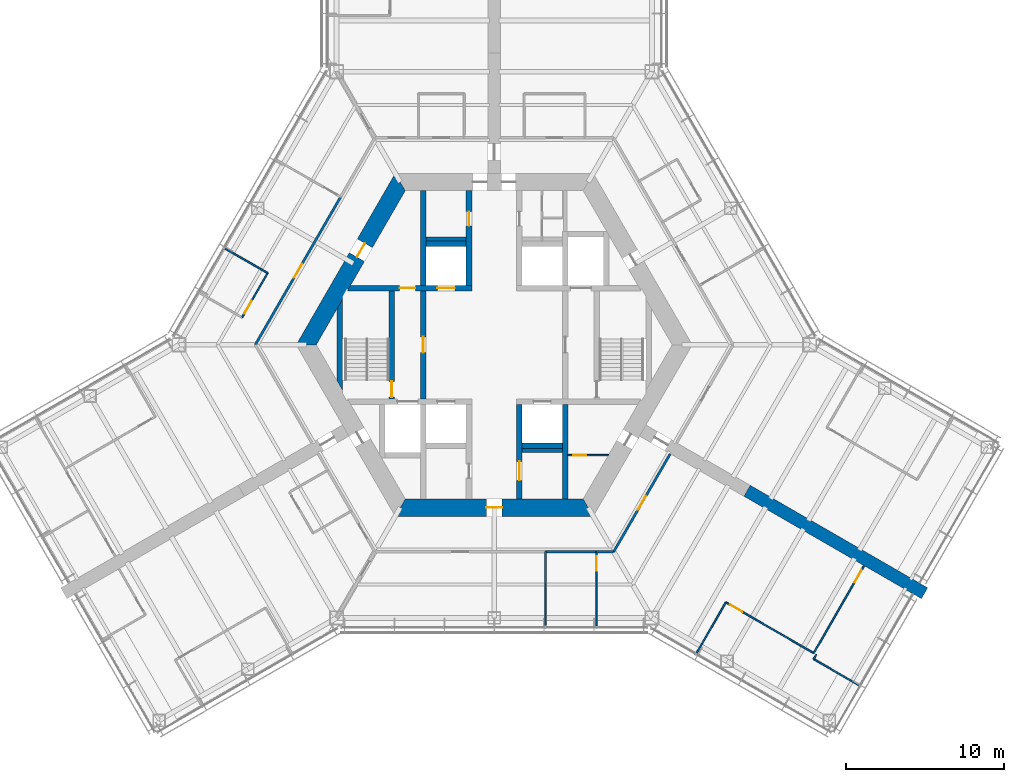
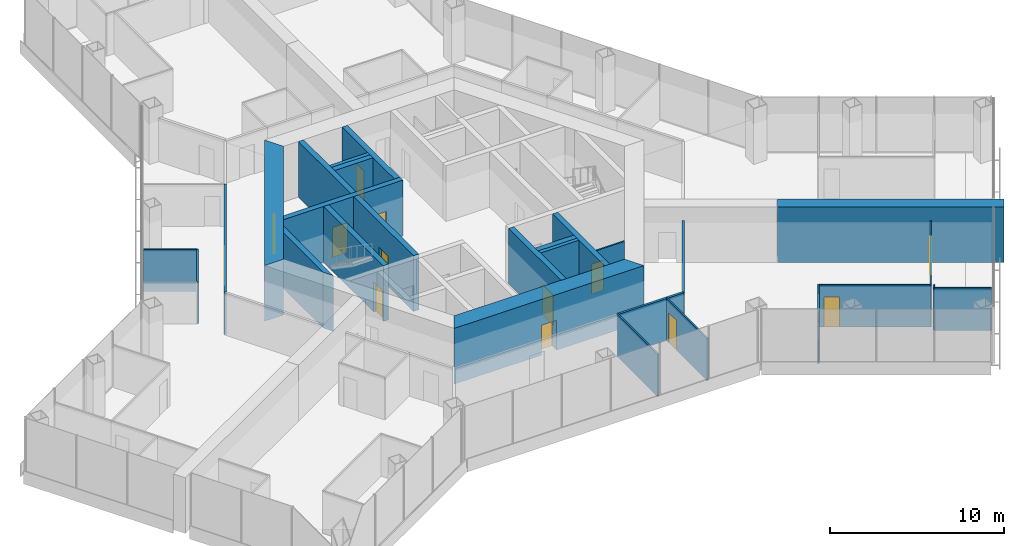
# One storey, part 13 of 18: 29 walls, 15 doors, 15 openings.
"""IFC4 building model written with IfcOpenShell, lengths in metres."""

import ifcopenshell
import ifcopenshell.guid

model = None  # the IFC model being written
_history = None  # IfcOwnerHistory: only IFC2X3 demands one
_inside = {}  # id of a spatial element -> (the spatial element, [elements in it])
_under = {}  # id of a project, library or spatial element -> (it, [spatial elements below it])
_declared = {}  # id of a project -> (the project, [libraries it declares])
_typed = {}  # id of a type object -> (the type object, [elements of that type])
_made_of = {}  # id of a material, layer set ... -> (it, [elements and type objects made of it])


def new_model(schema):
    """Start an empty IFC model of exactly this schema.

    Asked for "IFC4X3", IfcOpenShell would pick the latest addendum, in which some entities
    have other attributes; the version numbers below select the first issue.
    IFC2X3 requires an IfcOwnerHistory on every rooted entity: one is made here for all.
    """
    global model, _history
    if schema == "IFC4X3":
        model = ifcopenshell.file(schema_version=(4, 3, 0, 0))
    else:
        model = ifcopenshell.file(schema=schema)
    _inside.clear()
    _under.clear()
    _declared.clear()
    _typed.clear()
    _made_of.clear()
    _history = None
    if model.schema == "IFC2X3":
        org = make("IfcOrganization", Name="unknown")
        user = make(
            "IfcPersonAndOrganization",
            ThePerson=make("IfcPerson", FamilyName="unknown"),
            TheOrganization=org,
        )
        app = make(
            "IfcApplication",
            ApplicationDeveloper=org,
            Version="unknown",
            ApplicationFullName="unknown",
            ApplicationIdentifier="unknown",
        )
        _history = make(
            "IfcOwnerHistory",
            OwningUser=user,
            OwningApplication=app,
            ChangeAction="ADDED",
            CreationDate=0,
        )
    return model


def make(cls, **values):
    """One entity of the class cls with the attributes given. An attribute that is None is left unset."""
    return model.create_entity(
        cls, **{name: value for name, value in values.items() if value is not None}
    )


def rooted(cls, **values):
    """An entity with a GlobalId (a new one), such as an element, a storey or a relation."""
    return make(cls, GlobalId=ifcopenshell.guid.new(), OwnerHistory=_history, **values)


def si_unit(unit_type, name, prefix=None):
    """IfcSIUnit, for example si_unit("LENGTHUNIT", "METRE", prefix="MILLI")."""
    return make("IfcSIUnit", UnitType=unit_type, Prefix=prefix, Name=name)


def assignment(units):
    """IfcUnitAssignment: the units of a project."""
    return None if units is None else make("IfcUnitAssignment", Units=units)


def point(xyz):
    """IfcCartesianPoint."""
    return None if xyz is None else make("IfcCartesianPoint", Coordinates=xyz)


def direction(xyz):
    """IfcDirection."""
    return None if xyz is None else make("IfcDirection", DirectionRatios=xyz)


def frame(location, z_axis=None, x_axis=None):
    """IfcAxis2Placement3D, a coordinate frame: its origin and axes. An axis left out is left unset."""
    return make(
        "IfcAxis2Placement3D",
        Location=point(location),
        Axis=direction(z_axis),
        RefDirection=direction(x_axis),
    )


def frame_2d(location, x_axis=None):
    """IfcAxis2Placement2D, a coordinate frame in the plane: its origin and x axis."""
    return make(
        "IfcAxis2Placement2D", Location=point(location), RefDirection=direction(x_axis)
    )


def origin():
    """The frame at (0, 0, 0) with its axes left unset."""
    return frame((0.0, 0.0, 0.0))


def place(relative_to, where):
    """IfcLocalPlacement: puts the frame where relative to a parent placement (None: the world)."""
    return make(
        "IfcLocalPlacement", PlacementRelTo=relative_to, RelativePlacement=where
    )


def context(
    kind, dimensions, precision=None, world=None, true_north=None, identifier=None
):
    """IfcGeometricRepresentationContext, for example the 3D "Model" context."""
    return make(
        "IfcGeometricRepresentationContext",
        ContextIdentifier=identifier,
        ContextType=kind,
        CoordinateSpaceDimension=dimensions,
        Precision=precision,
        WorldCoordinateSystem=world,
        TrueNorth=true_north,
    )


def subcontext(parent, identifier, kind, view, scale=None):
    """IfcGeometricRepresentationSubContext, for example "Body" below "Model"."""
    return make(
        "IfcGeometricRepresentationSubContext",
        ContextIdentifier=identifier,
        ContextType=kind,
        ParentContext=parent,
        TargetScale=scale,
        TargetView=view,
    )


def project(units=None, contexts=None):
    """IfcProject with its units and contexts."""
    return rooted(
        "IfcProject",
        Name="project",
        RepresentationContexts=contexts,
        UnitsInContext=assignment(units),
    )


def spatial(cls, under=None, at=None, **own):
    """A site, building, storey or space (cls), placed at a placement, below another one or the project."""
    s = rooted(cls, ObjectPlacement=at, **own)
    if under is not None:
        _under.setdefault(under.id(), (under, []))[1].append(s)
    return s


def polyline(points):
    """IfcPolyline through the points."""
    return make("IfcPolyline", Points=[point(p) for p in points])


def profile(cls, at=None, kind="AREA", **sizes):
    """A parametric profile (cls). Its sizes go by their IFC names, for example OverallWidth=200.0."""
    return make(cls, ProfileType=kind, Position=at, **sizes)


def rectangle(**sizes):
    """IfcRectangleProfileDef."""
    return profile("IfcRectangleProfileDef", **sizes)


def outline(outer, holes=None, kind="AREA"):
    """IfcArbitraryClosedProfileDef: a profile drawn as a closed curve; with holes, ...WithVoids."""
    if holes is None:
        return make("IfcArbitraryClosedProfileDef", ProfileType=kind, OuterCurve=outer)
    return make(
        "IfcArbitraryProfileDefWithVoids",
        ProfileType=kind,
        OuterCurve=outer,
        InnerCurves=holes,
    )


def extrude(swept, where, along, depth):
    """IfcExtrudedAreaSolid: the profile swept, set in the frame where, extruded along a direction by depth."""
    return make(
        "IfcExtrudedAreaSolid",
        SweptArea=swept,
        Position=where,
        ExtrudedDirection=direction(along),
        Depth=depth,
    )


def shape(context_of_items, identifier, shape_type, items):
    """IfcShapeRepresentation: the items that make up one representation, for example the "Body"."""
    return make(
        "IfcShapeRepresentation",
        ContextOfItems=context_of_items,
        RepresentationIdentifier=identifier,
        RepresentationType=shape_type,
        Items=items,
    )


def material(Name=None, Category=None):
    """IfcMaterial."""
    return make("IfcMaterial", Name=Name, Category=Category)


def layer(
    of_material, thickness, ventilated=None, Name=None, Category=None, Priority=None
):
    """IfcMaterialLayer: one layer of a wall or slab, of a material (None: an air gap)."""
    return make(
        "IfcMaterialLayer",
        Material=of_material,
        LayerThickness=thickness,
        IsVentilated=ventilated,
        Name=Name,
        Category=Category,
        Priority=Priority,
    )


def layer_set(layers, Name=None):
    """IfcMaterialLayerSet."""
    return make("IfcMaterialLayerSet", MaterialLayers=layers, LayerSetName=Name)


def made_of(thing, what):
    """Note that an element or type object is made of a material, layer set ...; save() writes the relation."""
    if what is not None:
        _made_of.setdefault(what.id(), (what, []))[1].append(thing)
    return thing


def type_object(cls, material=None, **own):
    """A type object (cls), such as IfcWallType, which elements share."""
    return made_of(rooted(cls, **own), material)


def element(
    cls,
    number,
    at=None,
    inside=None,
    cuts=None,
    type_object=None,
    material=None,
    context=None,
    identifier="Body",
    shape_type=None,
    held_by="IfcProductDefinitionShape",
    body=None,
    shapes=None,
    **own,
):
    """One element of the class cls, such as IfcWall. Its Tag is "e" and its number.

    at: its placement. inside: the storey or other place that contains it. cuts: it is an
    opening in that element (IfcRelVoidsElement). A single representation is given by context,
    identifier, shape_type and body (its items); several are given by shapes. held_by: the class
    of the entity that holds the representations. save() writes the other relations.
    """
    e = rooted(cls, Tag="e%d" % number, ObjectPlacement=at, **own)
    if body is not None:
        shapes = [shape(context, identifier, shape_type, body)]
    if shapes is not None:
        e.Representation = make(held_by, Representations=shapes)
    if inside is not None:
        _inside.setdefault(inside.id(), (inside, []))[1].append(e)
    if cuts is not None:
        rooted(
            "IfcRelVoidsElement", RelatingBuildingElement=cuts, RelatedOpeningElement=e
        )
    if type_object is not None:
        _typed.setdefault(type_object.id(), (type_object, []))[1].append(e)
    return made_of(e, material)


def fill(opening, filler):
    """IfcRelFillsElement: the door or window that sits in an opening."""
    return rooted(
        "IfcRelFillsElement",
        RelatingOpeningElement=opening,
        RelatedBuildingElement=filler,
    )


def aggregate(whole, parts):
    """IfcRelAggregates: a whole, such as a stair, and the parts it consists of."""
    return rooted("IfcRelAggregates", RelatingObject=whole, RelatedObjects=parts)


def save(model, path):
    """Write the relations noted so far, then the file.

    IfcRelAggregates (storeys below a building ...), IfcRelContainedInSpatialStructure (elements
    in a storey), IfcRelDefinesByType, IfcRelAssociatesMaterial and IfcRelDeclares: one each for
    every whole, place, type object, material and project.
    """
    for whole, parts in _under.values():
        aggregate(whole, parts)
    for where, things in _inside.values():
        rooted(
            "IfcRelContainedInSpatialStructure",
            RelatedElements=things,
            RelatingStructure=where,
        )
    for kind, things in _typed.values():
        rooted("IfcRelDefinesByType", RelatedObjects=things, RelatingType=kind)
    for what, things in _made_of.values():
        rooted("IfcRelAssociatesMaterial", RelatedObjects=things, RelatingMaterial=what)
    for by, libraries in _declared.values():
        rooted("IfcRelDeclares", RelatingContext=by, RelatedDefinitions=libraries)
    model.write(path)


model = new_model("IFC4")

# Units and contexts
model_context = context("Model", 3, precision=1e-05, world=origin(), true_north=direction((0.0, 1.0)))
body_context = subcontext(model_context, "Body", "Model", "MODEL_VIEW")
ifc_project = project(units=[si_unit("LENGTHUNIT", "METRE"), si_unit("AREAUNIT", "SQUARE_METRE"), si_unit("VOLUMEUNIT", "CUBIC_METRE"), si_unit("PLANEANGLEUNIT", "RADIAN"), si_unit("MASSUNIT", "GRAM", prefix="KILO")], contexts=[model_context])

# Site, building, storey
site_placement = place(None, origin())
site = spatial("IfcSite", under=ifc_project, at=site_placement, CompositionType="ELEMENT")
building_placement = place(site_placement, origin())
building = spatial("IfcBuilding", under=site, at=building_placement, Name="Kasaneha Research Tower", CompositionType="ELEMENT")
storey_placement = place(building_placement, frame((0.0, 0.0, 111.89990234375)))
storey = spatial("IfcBuildingStorey", under=building, at=storey_placement, Name="L28", CompositionType="ELEMENT", Elevation=111.89990234375)

# Wall, openings, doors
ifc_material_1 = material(Name="Concrete Fc80", Category="concrete")
ifc_layer_1 = layer(ifc_material_1, 0.35009765625)
ifc_layer_set_1 = layer_set([ifc_layer_1], Name="Core internal wall 350 Fc80")
wall_type_1 = type_object("IfcWallType", Name="Core internal wall 350 Fc80", PredefinedType="SHEAR", material=ifc_layer_set_1)
wall_1_placement = place(storey_placement, frame((-9.208740234375, 3.60009765625, 0.0), z_axis=(0.0, 0.0, 1.0), x_axis=(1.0, 0.0, 0.0)))
wall_1 = element("IfcWall", 1, at=wall_1_placement, inside=storey, type_object=wall_type_1, Name="Core wall W1W L28", PredefinedType="SHEAR", context=body_context, shape_type="SweptSolid", body=[
    extrude(outline(polyline([(-0.10107421875, -0.175048828125), (3.208740234375, -0.175048828125), (4.208740234375, -0.175048828125), (5.608642578125, -0.175048828125), (6.708740234375, -0.175048828125), (7.78369140625, -0.175048828125), (7.78369140625, 0.175048828125), (6.708740234375, 0.175048828125), (5.608642578125, 0.175048828125), (4.208740234375, 0.175048828125), (3.208740234375, 0.175048828125), (0.10107421875, 0.175048828125), (-0.10107421875, -0.175048828125)])), origin(), (0.0, 0.0, 1.0), 3.900146484375),
])
opening_1_placement = place(wall_1_placement, frame((3.208740234375, 0.0, 0.0)))
opening_1 = element("IfcOpeningElement", 2, at=opening_1_placement, cuts=wall_1, Name="Opening L28-D12", PredefinedType="OPENING", context=body_context, shape_type="SweptSolid", body=[
    extrude(rectangle(XDim=1.0, YDim=2.10009765625, at=frame_2d((0.5, 1.050048828125))), frame((0.0, 0.18505859375, 0.0), z_axis=(0.0, -1.0, 0.0), x_axis=(1.0, 0.0, 0.0)), (0.0, 0.0, 1.0), 0.3701171875),
])
opening_2_placement = place(wall_1_placement, frame((5.608642578125, 0.0, 0.0)))
opening_2 = element("IfcOpeningElement", 3, at=opening_2_placement, cuts=wall_1, Name="Opening LD-LO1-L28", PredefinedType="OPENING", context=body_context, shape_type="SweptSolid", body=[
    extrude(rectangle(XDim=1.10009765625, YDim=2.10009765625, at=frame_2d((0.550048828125, 1.050048828125))), frame((0.0, 0.18505859375, 0.0), z_axis=(0.0, -1.0, 0.0), x_axis=(1.0, 0.0, 0.0)), (0.0, 0.0, 1.0), 0.3701171875),
])
ifc_material_2 = material(Name="Steel", Category="steel")
door_type_1 = type_object("IfcDoorType", Name="Lift landing door 1100x2100", OperationType="DOUBLE_DOOR_SLIDING", PredefinedType="DOOR", material=ifc_material_2)
door_1_placement = place(opening_2_placement, origin())
door_1 = element("IfcDoor", 4, at=door_1_placement, inside=storey, type_object=door_type_1, Name="Landing door LO1 LD-LO1-L28", OperationType="DOUBLE_DOOR_SLIDING", OverallHeight=2.10009765625, OverallWidth=1.10009765625, PredefinedType="DOOR", context=body_context, shape_type="SweptSolid", body=[
    extrude(rectangle(XDim=1.10009765625, YDim=2.10009765625, at=frame_2d((0.550048828125, 1.050048828125))), frame((0.0, 0.02490234375, 0.0), z_axis=(0.0, -1.0, 0.0), x_axis=(1.0, 0.0, 0.0)), (0.0, 0.0, 1.0), 0.050048828125),
])
fill(opening_2, door_1)
ifc_material_3 = material(Name="Steel", Category="steel")
door_type_2 = type_object("IfcDoorType", Name="Specified fire door FD60 1000x2100", OperationType="NOTDEFINED", PredefinedType="DOOR", material=ifc_material_3)
door_2_placement = place(opening_1_placement, origin())
door_2 = element("IfcDoor", 5, at=door_2_placement, inside=storey, type_object=door_type_2, Name="Vestibule to lobby door L28-D12", OperationType="SINGLE_SWING_RIGHT", OverallHeight=2.10009765625, OverallWidth=1.0, PredefinedType="DOOR", context=body_context, shape_type="SweptSolid", body=[
    extrude(rectangle(XDim=1.0, YDim=2.10009765625, at=frame_2d((0.5, 1.050048828125))), frame((0.0, 0.02490234375, 0.0), z_axis=(0.0, -1.0, 0.0), x_axis=(1.0, 0.0, 0.0)), (0.0, 0.0, 1.0), 0.050048828125),
])
fill(opening_1, door_2)

# Wall, opening, door
wall_2_placement = place(storey_placement, frame((-1.60009765625, 3.77490234375, 0.0), z_axis=(0.0, 0.0, 1.0), x_axis=(0.0, 1.0, 0.0)))
wall_2 = element("IfcWall", 6, at=wall_2_placement, inside=storey, type_object=wall_type_1, Name="Core wall CNW L28", PredefinedType="SHEAR", context=body_context, shape_type="SweptSolid", body=[
    extrude(rectangle(XDim=6.0, YDim=0.35009765625, at=frame_2d((3.0, 0.0))), origin(), (0.0, 0.0, 1.0), 3.900146484375),
])
opening_3_placement = place(wall_2_placement, frame((3.77490234375, 0.0, 0.0)))
opening_3 = element("IfcOpeningElement", 7, at=opening_3_placement, cuts=wall_2, Name="Opening L28-D13", PredefinedType="OPENING", context=body_context, shape_type="SweptSolid", body=[
    extrude(rectangle(XDim=0.89990234375, YDim=2.10009765625, at=frame_2d((0.449951171875, 1.050048828125))), frame((0.0, 0.18505859375, 0.0), z_axis=(0.0, -1.0, 0.0), x_axis=(1.0, 0.0, 0.0)), (0.0, 0.0, 1.0), 0.3701171875),
])
ifc_material_4 = material(Name="Steel", Category="steel")
door_type_3 = type_object("IfcDoorType", Name="Toilet door FD20 900x2100", OperationType="NOTDEFINED", PredefinedType="DOOR", material=ifc_material_4)
door_3_placement = place(opening_3_placement, origin())
door_3 = element("IfcDoor", 8, at=door_3_placement, inside=storey, type_object=door_type_3, Name="Men's WC door L28-D13", OperationType="SINGLE_SWING_LEFT", OverallHeight=2.10009765625, OverallWidth=0.89990234375, PredefinedType="DOOR", context=body_context, shape_type="SweptSolid", body=[
    extrude(rectangle(XDim=0.89990234375, YDim=2.10009765625, at=frame_2d((0.449951171875, 1.050048828125))), frame((0.0, 0.02490234375, 0.0), z_axis=(0.0, -1.0, 0.0), x_axis=(1.0, 0.0, 0.0)), (0.0, 0.0, 1.0), 0.050048828125),
])
fill(opening_3, door_3)

wall_3_placement = place(storey_placement, frame((1.60009765625, -3.77490234375, 0.0), z_axis=(0.0, 0.0, 1.0), x_axis=(0.0, -1.0, 0.0)))
wall_3 = element("IfcWall", 9, at=wall_3_placement, inside=storey, type_object=wall_type_1, Name="Core wall CSE L28", PredefinedType="SHEAR", context=body_context, shape_type="SweptSolid", body=[
    extrude(rectangle(XDim=6.0, YDim=0.35009765625, at=frame_2d((3.0, 0.0))), origin(), (0.0, 0.0, 1.0), 3.900146484375),
])
opening_4_placement = place(wall_3_placement, frame((3.625, 0.0, 0.0)))
opening_4 = element("IfcOpeningElement", 10, at=opening_4_placement, cuts=wall_3, Name="Opening L28-D15", PredefinedType="OPENING", context=body_context, shape_type="SweptSolid", body=[
    extrude(rectangle(XDim=1.199951171875, YDim=2.10009765625, at=frame_2d((0.60009765625, 1.050048828125))), frame((0.0, 0.18505859375, 0.0), z_axis=(0.0, -1.0, 0.0), x_axis=(1.0, 0.0, 0.0)), (0.0, 0.0, 1.0), 0.3701171875),
])
ifc_material_5 = material(Name="Steel", Category="steel")
door_type_4 = type_object("IfcDoorType", Name="Accessible toilet sliding door FD20 1200x2100", OperationType="SLIDING_TO_LEFT", PredefinedType="DOOR", material=ifc_material_5)
door_4_placement = place(opening_4_placement, origin())
door_4 = element("IfcDoor", 11, at=door_4_placement, inside=storey, type_object=door_type_4, Name="Accessible WC door L28-D15", OperationType="SLIDING_TO_LEFT", OverallHeight=2.10009765625, OverallWidth=1.199951171875, PredefinedType="DOOR", context=body_context, shape_type="SweptSolid", body=[
    extrude(rectangle(XDim=1.199951171875, YDim=2.10009765625, at=frame_2d((0.60009765625, 1.050048828125))), frame((0.0, 0.02490234375, 0.0), z_axis=(0.0, -1.0, 0.0), x_axis=(1.0, 0.0, 0.0)), (0.0, 0.0, 1.0), 0.050048828125),
])
fill(opening_4, door_4)

wall_4_placement = place(storey_placement, frame((-4.5, -3.425048828125, 0.0), z_axis=(0.0, 0.0, 1.0), x_axis=(0.0, 1.0, 0.0)))
wall_4 = element("IfcWall", 12, at=wall_4_placement, inside=storey, type_object=wall_type_1, Name="Core wall LBW L28", PredefinedType="SHEAR", context=body_context, shape_type="SweptSolid", body=[
    extrude(rectangle(XDim=6.85009765625, YDim=0.35009765625, at=frame_2d((3.425048828125, 0.0))), origin(), (0.0, 0.0, 1.0), 3.900146484375),
])
opening_5_placement = place(wall_4_placement, frame((2.925048828125, 0.0, 0.0)))
opening_5 = element("IfcOpeningElement", 13, at=opening_5_placement, cuts=wall_4, Name="Opening L28-D09", PredefinedType="OPENING", context=body_context, shape_type="SweptSolid", body=[
    extrude(rectangle(XDim=1.0, YDim=2.10009765625, at=frame_2d((0.5, 1.050048828125))), frame((0.0, 0.18505859375, 0.0), z_axis=(0.0, -1.0, 0.0), x_axis=(1.0, 0.0, 0.0)), (0.0, 0.0, 1.0), 0.3701171875),
])
door_5_placement = place(opening_5_placement, origin())
door_5 = element("IfcDoor", 14, at=door_5_placement, inside=storey, type_object=door_type_2, Name="Lift lobby door west L28-D09", OperationType="SINGLE_SWING_LEFT", OverallHeight=2.10009765625, OverallWidth=1.0, PredefinedType="DOOR", context=body_context, shape_type="SweptSolid", body=[
    extrude(rectangle(XDim=1.0, YDim=2.10009765625, at=frame_2d((0.5, 1.050048828125))), frame((0.0, 0.02490234375, 0.0), z_axis=(0.0, -1.0, 0.0), x_axis=(1.0, 0.0, 0.0)), (0.0, 0.0, 1.0), 0.050048828125),
])
fill(opening_5, door_5)

wall_5_placement = place(storey_placement, frame((-6.5, -3.425048828125, 0.0), z_axis=(0.0, 0.0, 1.0), x_axis=(0.0, 1.0, 0.0)))
wall_5 = element("IfcWall", 15, at=wall_5_placement, inside=storey, type_object=wall_type_1, Name="Core wall ANW L28", PredefinedType="SHEAR", context=body_context, shape_type="SweptSolid", body=[
    extrude(rectangle(XDim=6.85009765625, YDim=0.35009765625, at=frame_2d((3.425048828125, 0.0))), origin(), (0.0, 0.0, 1.0), 3.900146484375),
])
opening_6_placement = place(wall_5_placement, frame((0.10009765625, 0.0, 0.0)))
opening_6 = element("IfcOpeningElement", 16, at=opening_6_placement, cuts=wall_5, Name="Opening L28-D11", PredefinedType="OPENING", context=body_context, shape_type="SweptSolid", body=[
    extrude(rectangle(XDim=1.0, YDim=2.10009765625, at=frame_2d((0.5, 1.050048828125))), frame((0.0, 0.18505859375, 0.0), z_axis=(0.0, -1.0, 0.0), x_axis=(1.0, 0.0, 0.0)), (0.0, 0.0, 1.0), 0.3701171875),
])
door_6_placement = place(opening_6_placement, origin())
door_6 = element("IfcDoor", 17, at=door_6_placement, inside=storey, type_object=door_type_2, Name="Stair 2 door L28-D11", OperationType="SINGLE_SWING_LEFT", OverallHeight=2.10009765625, OverallWidth=1.0, PredefinedType="DOOR", context=body_context, shape_type="SweptSolid", body=[
    extrude(rectangle(XDim=1.0, YDim=2.10009765625, at=frame_2d((0.5, 1.050048828125))), frame((0.0, 0.02490234375, 0.0), z_axis=(0.0, -1.0, 0.0), x_axis=(1.0, 0.0, 0.0)), (0.0, 0.0, 1.0), 0.050048828125),
])
fill(opening_6, door_6)

# Walls
for number, where, z_axis, x_axis, name in (
    (18, (-4.5, 3.77490234375, 0.0), (0.0, 0.0, 1.0), (0.0, 1.0, 0.0), "Core wall VNW L28"),
    (19, (4.5, -3.77490234375, 0.0), (0.0, 0.0, 1.0), (0.0, -1.0, 0.0), "Core wall SSE L28"),
):
    element("IfcWall", number, at=place(storey_placement, frame(where, z_axis=z_axis, x_axis=x_axis)), inside=storey, type_object=wall_type_1, Name=name, PredefinedType="SHEAR", context=body_context, shape_type="SweptSolid", body=[
        extrude(rectangle(XDim=6.0, YDim=0.35009765625, at=frame_2d((3.0, 0.0))), origin(), (0.0, 0.0, 1.0), 3.900146484375),
    ])
for number, where, z_axis, x_axis, name in (
    (20, (-4.324951171875, 6.39990234375, 0.0), (0.0, 0.0, 1.0), (1.0, 0.0, 0.0), "Core wall N1N L28"),
    (21, (1.77490234375, -6.39990234375, 0.0), (0.0, 0.0, 1.0), (1.0, 0.0, 0.0), "Core wall S3S L28"),
):
    element("IfcWall", number, at=place(storey_placement, frame(where, z_axis=z_axis, x_axis=x_axis)), inside=storey, type_object=wall_type_1, Name=name, PredefinedType="SHEAR", context=body_context, shape_type="SweptSolid", body=[
        extrude(rectangle(XDim=2.550048828125, YDim=0.35009765625, at=frame_2d((1.27490234375, 0.0))), origin(), (0.0, 0.0, 1.0), 3.900146484375),
    ])
wall_6_placement = place(storey_placement, frame((-9.807861328125, -2.562255859375, 0.0), z_axis=(0.0, 0.0, 1.0), x_axis=(0.0, 1.0, 0.0)))
element("IfcWall", 22, at=wall_6_placement, inside=storey, type_object=wall_type_1, Name="Core wall STW L28", PredefinedType="SHEAR", context=body_context, shape_type="SweptSolid", body=[
    extrude(outline(polyline([(-0.30322265625, -0.175048828125), (5.427734375, -0.175048828125), (4.8212890625, 0.175048828125), (0.30322265625, 0.175048828125), (-0.30322265625, -0.175048828125)])), origin(), (0.0, 0.0, 1.0), 3.900146484375),
])

# Wall, opening, door
ifc_material_6 = material(Name="Concrete Fc80", Category="concrete")
ifc_layer_2 = layer(ifc_material_6, 1.10009765625)
ifc_layer_set_2 = layer_set([ifc_layer_2], Name="Core wall 1100 Fc80")
wall_type_2 = type_object("IfcWallType", Name="Core wall 1100 Fc80", PredefinedType="SHEAR", material=ifc_layer_set_2)
wall_7_placement = place(storey_placement, frame((-5.961181640625, 10.324951171875, 0.0), z_axis=(0.0, 0.0, 1.0), x_axis=(-0.500004296715, -0.866022923061, 0.0)))
wall_7 = element("IfcWall", 23, at=wall_7_placement, inside=storey, type_object=wall_type_2, Name="Core wall 150 L28", PredefinedType="SHEAR", context=body_context, shape_type="SweptSolid", body=[
    extrude(outline(polyline([(-0.317626953125, -0.550048828125), (4.494140625, -0.550048828125), (5.494140625, -0.550048828125), (12.239990234375, -0.550048828125), (11.604736328125, 0.550048828125), (5.494140625, 0.550048828125), (4.494140625, 0.550048828125), (0.317626953125, 0.550048828125), (-0.317626953125, -0.550048828125)])), origin(), (0.0, 0.0, 1.0), 3.900146484375),
])
opening_7_placement = place(wall_7_placement, frame((4.494140625, 0.0, 0.0)))
opening_7 = element("IfcOpeningElement", 24, at=opening_7_placement, cuts=wall_7, Name="Opening L28-D07", PredefinedType="OPENING", context=body_context, shape_type="SweptSolid", body=[
    extrude(rectangle(XDim=1.0, YDim=2.10009765625, at=frame_2d((0.5, 1.050048828125))), frame((0.0, 0.56005859375, 0.0), z_axis=(0.0, -1.0, 0.0), x_axis=(1.0, 0.0, 0.0)), (0.0, 0.0, 1.0), 1.1201171875),
])
ifc_material_7 = material(Name="Steel", Category="steel")
door_type_5 = type_object("IfcDoorType", Name="Fire door FD20 1000x2100", OperationType="NOTDEFINED", PredefinedType="DOOR", material=ifc_material_7)
door_7_placement = place(opening_7_placement, origin())
door_7 = element("IfcDoor", 25, at=door_7_placement, inside=storey, type_object=door_type_5, Name="Vestibule door L28-D07", OperationType="SINGLE_SWING_LEFT", OverallHeight=2.10009765625, OverallWidth=1.0, PredefinedType="DOOR", context=body_context, shape_type="SweptSolid", body=[
    extrude(rectangle(XDim=1.0, YDim=2.10009765625, at=frame_2d((0.5, 1.050048828125))), frame((0.0, 0.02490234375, 0.0), z_axis=(0.0, -1.0, 0.0), x_axis=(1.0, 0.0, 0.0)), (0.0, 0.0, 1.0), 0.050048828125),
])
fill(opening_7, door_7)

wall_8_placement = place(storey_placement, frame((-5.961181640625, -10.324951171875, 0.0), z_axis=(0.0, 0.0, 1.0), x_axis=(1.0, 0.0, 0.0)))
wall_8 = element("IfcWall", 26, at=wall_8_placement, inside=storey, type_object=wall_type_2, Name="Core wall 270 L28", PredefinedType="SHEAR", context=body_context, shape_type="SweptSolid", body=[
    extrude(outline(polyline([(-0.317626953125, -0.550048828125), (5.461181640625, -0.550048828125), (6.461181640625, -0.550048828125), (12.239990234375, -0.550048828125), (11.604736328125, 0.550048828125), (6.461181640625, 0.550048828125), (5.461181640625, 0.550048828125), (0.317626953125, 0.550048828125), (-0.317626953125, -0.550048828125)])), origin(), (0.0, 0.0, 1.0), 3.900146484375),
])
opening_8_placement = place(wall_8_placement, frame((5.461181640625, 0.0, 0.0)))
opening_8 = element("IfcOpeningElement", 27, at=opening_8_placement, cuts=wall_8, Name="Opening L28-D03", PredefinedType="OPENING", context=body_context, shape_type="SweptSolid", body=[
    extrude(rectangle(XDim=1.0, YDim=2.10009765625, at=frame_2d((0.5, 1.050048828125))), frame((0.0, 0.56005859375, 0.0), z_axis=(0.0, -1.0, 0.0), x_axis=(1.0, 0.0, 0.0)), (0.0, 0.0, 1.0), 1.1201171875),
])
door_8_placement = place(opening_8_placement, origin())
door_8 = element("IfcDoor", 28, at=door_8_placement, inside=storey, type_object=door_type_5, Name="Core door south L28-D03", OperationType="SINGLE_SWING_LEFT", OverallHeight=2.10009765625, OverallWidth=1.0, PredefinedType="DOOR", context=body_context, shape_type="SweptSolid", body=[
    extrude(rectangle(XDim=1.0, YDim=2.10009765625, at=frame_2d((0.5, 1.050048828125))), frame((0.0, 0.02490234375, 0.0), z_axis=(0.0, -1.0, 0.0), x_axis=(1.0, 0.0, 0.0)), (0.0, 0.0, 1.0), 0.050048828125),
])
fill(opening_8, door_8)

ifc_material_8 = material(Name="Gypsum board on steel studs, one layer each side", Category="steel")
ifc_layer_3 = layer(ifc_material_8, 0.10009765625)
ifc_layer_set_3 = layer_set([ifc_layer_3], Name="Office partition 100")
wall_type_3 = type_object("IfcWallType", Name="Office partition 100", PredefinedType="PARTITIONING", material=ifc_layer_set_3)
wall_9_placement = place(storey_placement, frame((4.675048828125, -7.0, 0.0), z_axis=(0.0, 0.0, 1.0), x_axis=(1.0, 0.0, 0.0)))
wall_9 = element("IfcWall", 29, at=wall_9_placement, inside=storey, type_object=wall_type_3, Name="Office partition RS-SE L28", PredefinedType="PARTITIONING", context=body_context, shape_type="SweptSolid", body=[
    extrude(outline(polyline([(0.0, -0.050048828125), (0.35009765625, -0.050048828125), (1.150146484375, -0.050048828125), (2.5419921875, -0.050048828125), (2.57080078125, 0.0), (2.57666015625, 0.050048828125), (1.150146484375, 0.050048828125), (0.35009765625, 0.050048828125), (0.0, 0.050048828125), (0.0, -0.050048828125)])), origin(), (0.0, 0.0, 1.0), 2.9501953125),
])
opening_9_placement = place(wall_9_placement, frame((0.35009765625, 0.0, 0.0)))
opening_9 = element("IfcOpeningElement", 30, at=opening_9_placement, cuts=wall_9, Name="Opening L28-D22", PredefinedType="OPENING", context=body_context, shape_type="SweptSolid", body=[
    extrude(rectangle(XDim=0.800048828125, YDim=2.10009765625, at=frame_2d((0.39990234375, 1.050048828125))), frame((0.0, 0.06005859375, 0.0), z_axis=(0.0, -1.0, 0.0), x_axis=(1.0, 0.0, 0.0)), (0.0, 0.0, 1.0), 0.1201171875),
])
ifc_material_9 = material(Name="Steel", Category="steel")
door_type_6 = type_object("IfcDoorType", Name="Riser access door FD60 800x2100", OperationType="NOTDEFINED", PredefinedType="DOOR", material=ifc_material_9)
door_9_placement = place(opening_9_placement, origin())
door_9 = element("IfcDoor", 31, at=door_9_placement, inside=storey, type_object=door_type_6, Name="Drainage riser door L28-D22", OperationType="SINGLE_SWING_LEFT", OverallHeight=2.10009765625, OverallWidth=0.800048828125, PredefinedType="DOOR", context=body_context, shape_type="SweptSolid", body=[
    extrude(rectangle(XDim=0.800048828125, YDim=2.10009765625, at=frame_2d((0.39990234375, 1.050048828125))), frame((0.0, 0.02490234375, 0.0), z_axis=(0.0, -1.0, 0.0), x_axis=(1.0, 0.0, 0.0)), (0.0, 0.0, 1.0), 0.050048828125),
])
fill(opening_9, door_9)

# Wall
wall_10_placement = place(storey_placement, frame((-17.05615234375, 6.098876953125, 0.0), z_axis=(0.0, 0.0, 1.0), x_axis=(0.86600983753, -0.500026960575, 0.0)))
element("IfcWall", 32, at=wall_10_placement, inside=storey, type_object=wall_type_3, Name="Office partition FBN11 L28", PredefinedType="PARTITIONING", context=body_context, shape_type="SweptSolid", body=[
    extrude(rectangle(XDim=3.099853515625, YDim=0.10009765625, at=frame_2d((1.5498046875, 0.0))), origin(), (0.0, 0.0, 1.0), 2.9501953125),
])

# Wall, opening, door
wall_11_placement = place(storey_placement, frame((-14.37158203125, 4.548828125, 0.0), z_axis=(0.0, 0.0, 1.0), x_axis=(-0.499956811548, -0.866050337213, 0.0)))
wall_11 = element("IfcWall", 33, at=wall_11_placement, inside=storey, type_object=wall_type_3, Name="Office partition FBN13 L28", PredefinedType="PARTITIONING", context=body_context, shape_type="SweptSolid", body=[
    extrude(rectangle(XDim=3.246337890625, YDim=0.10009765625, at=frame_2d((1.623046875, 0.0))), origin(), (0.0, 0.0, 1.0), 2.9501953125),
])
opening_10_placement = place(wall_11_placement, frame((2.04638671875, 0.0, 0.0)))
opening_10 = element("IfcOpeningElement", 34, at=opening_10_placement, cuts=wall_11, Name="Opening L28-D39", PredefinedType="OPENING", context=body_context, shape_type="SweptSolid", body=[
    extrude(rectangle(XDim=0.89990234375, YDim=2.10009765625, at=frame_2d((0.449951171875, 1.050048828125))), frame((0.0, 0.06005859375, 0.0), z_axis=(0.0, -1.0, 0.0), x_axis=(1.0, 0.0, 0.0)), (0.0, 0.0, 1.0), 0.1201171875),
])
ifc_material_10 = material(Name="Timber veneer", Category="wood")
door_type_7 = type_object("IfcDoorType", Name="Office door 900x2100", OperationType="SINGLE_SWING_LEFT", PredefinedType="DOOR", material=ifc_material_10)
door_10_placement = place(opening_10_placement, origin())
door_10 = element("IfcDoor", 35, at=door_10_placement, inside=storey, type_object=door_type_7, Name="Workroom door L28-D39", OperationType="SINGLE_SWING_RIGHT", OverallHeight=2.10009765625, OverallWidth=0.89990234375, PredefinedType="DOOR", context=body_context, shape_type="SweptSolid", body=[
    extrude(rectangle(XDim=0.89990234375, YDim=2.10009765625, at=frame_2d((0.449951171875, 1.050048828125))), frame((0.0, 0.02490234375, 0.0), z_axis=(0.0, -1.0, 0.0), x_axis=(1.0, 0.0, 0.0)), (0.0, 0.0, 1.0), 0.050048828125),
])
fill(opening_10, door_10)

wall_12_placement = place(storey_placement, frame((6.48828125, -13.125, 0.0), z_axis=(0.0, 0.0, 1.0), x_axis=(0.000982673433, -0.999999517176, 0.0)))
wall_12 = element("IfcWall", 36, at=wall_12_placement, inside=storey, type_object=wall_type_3, Name="Office partition FCS05 L28", PredefinedType="PARTITIONING", context=body_context, shape_type="SweptSolid", body=[
    extrude(rectangle(XDim=4.720458984375, YDim=0.10009765625, at=frame_2d((2.3603515625, 0.0))), origin(), (0.0, 0.0, 1.0), 2.9501953125),
])
opening_11_placement = place(wall_12_placement, frame((0.300048828125, 0.0, 0.0)))
opening_11 = element("IfcOpeningElement", 37, at=opening_11_placement, cuts=wall_12, Name="Opening L28-D48", PredefinedType="OPENING", context=body_context, shape_type="SweptSolid", body=[
    extrude(rectangle(XDim=0.89990234375, YDim=2.10009765625, at=frame_2d((0.449951171875, 1.050048828125))), frame((0.0, 0.06005859375, 0.0), z_axis=(0.0, -1.0, 0.0), x_axis=(1.0, 0.0, 0.0)), (0.0, 0.0, 1.0), 0.1201171875),
])
door_11_placement = place(opening_11_placement, origin())
door_11 = element("IfcDoor", 38, at=door_11_placement, inside=storey, type_object=door_type_7, Name="Manager's office door L28-D48", OperationType="SINGLE_SWING_LEFT", OverallHeight=2.10009765625, OverallWidth=0.89990234375, PredefinedType="DOOR", context=body_context, shape_type="SweptSolid", body=[
    extrude(rectangle(XDim=0.89990234375, YDim=2.10009765625, at=frame_2d((0.449951171875, 1.050048828125))), frame((0.0, 0.02490234375, 0.0), z_axis=(0.0, -1.0, 0.0), x_axis=(1.0, 0.0, 0.0)), (0.0, 0.0, 1.0), 0.050048828125),
])
fill(opening_11, door_11)

# Walls
wall_13_placement = place(storey_placement, frame((3.246337890625, -17.800537109375, 0.0), z_axis=(0.0, 0.0, 1.0), x_axis=(0.000992114806, 0.999999507854, 0.0)))
element("IfcWall", 39, at=wall_13_placement, inside=storey, type_object=wall_type_3, Name="Office partition FCS06 L28", PredefinedType="PARTITIONING", context=body_context, shape_type="SweptSolid", body=[
    extrude(rectangle(XDim=4.675537109375, YDim=0.10009765625, at=frame_2d((2.337890625, 0.0))), origin(), (0.0, 0.0, 1.0), 2.9501953125),
])
wall_14_placement = place(storey_placement, frame((20.258056640625, -19.933349609375, 0.0), z_axis=(0.0, 0.0, 1.0), x_axis=(0.866015045157, -0.50001794124, 0.0)))
element("IfcWall", 40, at=wall_14_placement, inside=storey, type_object=wall_type_3, Name="Office partition FCS07 L28", PredefinedType="PARTITIONING", context=body_context, shape_type="SweptSolid", body=[
    extrude(rectangle(XDim=3.2900390625, YDim=0.10009765625, at=frame_2d((1.64501953125, 0.0))), origin(), (0.0, 0.0, 1.0), 2.9501953125),
])
wall_15_placement = place(storey_placement, frame((20.425048828125, -19.644287109375, 0.0), z_axis=(0.0, 0.0, 1.0), x_axis=(-0.500228859883, -0.865893231143, 0.0)))
element("IfcWall", 41, at=wall_15_placement, inside=storey, type_object=wall_type_3, Name="Office partition FCS08 L28", PredefinedType="PARTITIONING", context=body_context, shape_type="SweptSolid", body=[
    extrude(rectangle(XDim=0.333740234375, YDim=0.10009765625, at=frame_2d((0.1669921875, 0.0))), origin(), (0.0, 0.0, 1.0), 2.9501953125),
])
wall_16_placement = place(storey_placement, frame((12.84228515625, -19.538818359375, 0.0), z_axis=(0.0, 0.0, 1.0), x_axis=(0.499964254978, 0.866046040199, 0.0)))
element("IfcWall", 42, at=wall_16_placement, inside=storey, type_object=wall_type_3, Name="Office partition FCS09 L28", PredefinedType="PARTITIONING", context=body_context, shape_type="SweptSolid", body=[
    extrude(rectangle(XDim=3.699951171875, YDim=0.10009765625, at=frame_2d((1.85009765625, 0.0))), origin(), (0.0, 0.0, 1.0), 2.9501953125),
])

# Wall, opening, door
wall_17_placement = place(storey_placement, frame((14.692138671875, -16.33447265625, 0.0), z_axis=(0.0, 0.0, 1.0), x_axis=(0.866023188807, -0.500003836433, 0.0)))
wall_17 = element("IfcWall", 43, at=wall_17_placement, inside=storey, type_object=wall_type_3, Name="Office partition FCS10 L28", PredefinedType="PARTITIONING", context=body_context, shape_type="SweptSolid", body=[
    extrude(rectangle(XDim=6.43408203125, YDim=0.10009765625, at=frame_2d((3.217041015625, 0.0))), origin(), (0.0, 0.0, 1.0), 2.9501953125),
])
opening_12_placement = place(wall_17_placement, frame((0.300048828125, 0.0, 0.0)))
opening_12 = element("IfcOpeningElement", 44, at=opening_12_placement, cuts=wall_17, Name="Opening L28-D49", PredefinedType="OPENING", context=body_context, shape_type="SweptSolid", body=[
    extrude(rectangle(XDim=0.89990234375, YDim=2.10009765625, at=frame_2d((0.449951171875, 1.050048828125))), frame((0.0, 0.06005859375, 0.0), z_axis=(0.0, -1.0, 0.0), x_axis=(1.0, 0.0, 0.0)), (0.0, 0.0, 1.0), 0.1201171875),
])
door_12_placement = place(opening_12_placement, origin())
door_12 = element("IfcDoor", 45, at=door_12_placement, inside=storey, type_object=door_type_7, Name="Meeting room door L28-D49", OperationType="SINGLE_SWING_LEFT", OverallHeight=2.10009765625, OverallWidth=0.89990234375, PredefinedType="DOOR", context=body_context, shape_type="SweptSolid", body=[
    extrude(rectangle(XDim=0.89990234375, YDim=2.10009765625, at=frame_2d((0.449951171875, 1.050048828125))), frame((0.0, 0.02490234375, 0.0), z_axis=(0.0, -1.0, 0.0), x_axis=(1.0, 0.0, 0.0)), (0.0, 0.0, 1.0), 0.050048828125),
])
fill(opening_12, door_12)

wall_18_placement = place(storey_placement, frame((20.26416015625, -19.551513671875, 0.0), z_axis=(0.0, 0.0, 1.0), x_axis=(0.499374576797, 0.866386191054, 0.0)))
wall_18 = element("IfcWall", 46, at=wall_18_placement, inside=storey, type_object=wall_type_3, Name="Office partition FCS11 L28", PredefinedType="PARTITIONING", context=body_context, shape_type="SweptSolid", body=[
    extrude(rectangle(XDim=6.380126953125, YDim=0.10009765625, at=frame_2d((3.18994140625, 0.0))), origin(), (0.0, 0.0, 1.0), 2.9501953125),
])
opening_13_placement = place(wall_18_placement, frame((5.18017578125, 0.0, 0.0)))
opening_13 = element("IfcOpeningElement", 47, at=opening_13_placement, cuts=wall_18, Name="Opening L28-D50", PredefinedType="OPENING", context=body_context, shape_type="SweptSolid", body=[
    extrude(rectangle(XDim=0.89990234375, YDim=2.10009765625, at=frame_2d((0.449951171875, 1.050048828125))), frame((0.0, 0.06005859375, 0.0), z_axis=(0.0, -1.0, 0.0), x_axis=(1.0, 0.0, 0.0)), (0.0, 0.0, 1.0), 0.1201171875),
])
door_13_placement = place(opening_13_placement, origin())
door_13 = element("IfcDoor", 48, at=door_13_placement, inside=storey, type_object=door_type_7, Name="Manager's office door L28-D50", OperationType="SINGLE_SWING_RIGHT", OverallHeight=2.10009765625, OverallWidth=0.89990234375, PredefinedType="DOOR", context=body_context, shape_type="SweptSolid", body=[
    extrude(rectangle(XDim=0.89990234375, YDim=2.10009765625, at=frame_2d((0.449951171875, 1.050048828125))), frame((0.0, 0.02490234375, 0.0), z_axis=(0.0, -1.0, 0.0), x_axis=(1.0, 0.0, 0.0)), (0.0, 0.0, 1.0), 0.050048828125),
])
fill(opening_13, door_13)

# Wall
ifc_material_11 = material(Name="Concrete Fc80", Category="concrete")
ifc_layer_4 = layer(ifc_material_11, 0.800048828125)
ifc_layer_set_4 = layer_set([ifc_layer_4], Name="Spine wall 800 Fc80")
wall_type_4 = type_object("IfcWallType", Name="Spine wall 800 Fc80", PredefinedType="SHEAR", material=ifc_layer_set_4)
wall_19_placement = place(storey_placement, frame((16.039306640625, -9.26025390625, 0.0), z_axis=(0.0, 0.0, 1.0), x_axis=(0.866024837091, -0.50000098154, 0.0)))
element("IfcWall", 49, at=wall_19_placement, inside=storey, type_object=wall_type_4, Name="Spine wall C wing L28", PredefinedType="SHEAR", context=body_context, shape_type="SweptSolid", body=[
    extrude(rectangle(XDim=13.0, YDim=0.800048828125, at=frame_2d((6.5, 0.0))), origin(), (0.0, 0.0, 1.0), 3.900146484375),
])

# Wall, opening, door
ifc_material_12 = material(Name="Gypsum board on steel studs, two layers each side", Category="steel")
ifc_layer_5 = layer(ifc_material_12, 0.14990234375)
ifc_layer_set_5 = layer_set([ifc_layer_5], Name="Suite partition 150")
wall_type_5 = type_object("IfcWallType", Name="Suite partition 150", PredefinedType="PARTITIONING", material=ifc_layer_set_5)
wall_20_placement = place(storey_placement, frame((-15.155517578125, 0.0, 0.0), z_axis=(0.0, 0.0, 1.0), x_axis=(0.500006743721, 0.866021510261, 0.0)))
wall_20 = element("IfcWall", 50, at=wall_20_placement, inside=storey, type_object=wall_type_5, Name="Suite partition FBN02 L28", PredefinedType="PARTITIONING", context=body_context, shape_type="SweptSolid", body=[
    extrude(rectangle(XDim=10.828369140625, YDim=0.14990234375, at=frame_2d((5.4140625, 0.0))), origin(), (0.0, 0.0, 1.0), 2.9501953125),
])
opening_14_placement = place(wall_20_placement, frame((4.914306640625, 0.0, 0.0)))
opening_14 = element("IfcOpeningElement", 51, at=opening_14_placement, cuts=wall_20, Name="Opening L28-D34", PredefinedType="OPENING", context=body_context, shape_type="SweptSolid", body=[
    extrude(rectangle(XDim=1.0, YDim=2.10009765625, at=frame_2d((0.5, 1.050048828125))), frame((0.0, 0.0849609375, 0.0), z_axis=(0.0, -1.0, 0.0), x_axis=(1.0, 0.0, 0.0)), (0.0, 0.0, 1.0), 0.169921875),
])
ifc_material_13 = material(Name="Steel", Category="steel")
door_type_8 = type_object("IfcDoorType", Name="Suite entrance door FD60 1000x2100", OperationType="NOTDEFINED", PredefinedType="DOOR", material=ifc_material_13)
door_14_placement = place(opening_14_placement, origin())
door_14 = element("IfcDoor", 52, at=door_14_placement, inside=storey, type_object=door_type_8, Name="Suite entrance door L28-D34", OperationType="SINGLE_SWING_RIGHT", OverallHeight=2.10009765625, OverallWidth=1.0, PredefinedType="DOOR", context=body_context, shape_type="SweptSolid", body=[
    extrude(rectangle(XDim=1.0, YDim=2.10009765625, at=frame_2d((0.5, 1.050048828125))), frame((0.0, 0.02490234375, 0.0), z_axis=(0.0, -1.0, 0.0), x_axis=(1.0, 0.0, 0.0)), (0.0, 0.0, 1.0), 0.050048828125),
])
fill(opening_14, door_14)

# Walls
wall_21_placement = place(storey_placement, frame((6.497802734375, -13.125, 0.0), z_axis=(0.0, 0.0, 1.0), x_axis=(-1.0, 0.0, 0.0)))
element("IfcWall", 53, at=wall_21_placement, inside=storey, type_object=wall_type_5, Name="Suite partition FCS01 L28", PredefinedType="PARTITIONING", context=body_context, shape_type="SweptSolid", body=[
    extrude(rectangle(XDim=3.25634765625, YDim=0.14990234375, at=frame_2d((1.628173828125, 0.0))), origin(), (0.0, 0.0, 1.0), 2.9501953125),
])
wall_22_placement = place(storey_placement, frame((7.57763671875, -13.125, 0.0), z_axis=(0.0, 0.0, 1.0), x_axis=(-1.0, 0.0, 0.0)))
element("IfcWall", 54, at=wall_22_placement, inside=storey, type_object=wall_type_5, Name="Suite partition FCS02 L28", PredefinedType="PARTITIONING", context=body_context, shape_type="SweptSolid", body=[
    extrude(rectangle(XDim=1.08935546875, YDim=0.14990234375, at=frame_2d((0.544677734375, 0.0))), origin(), (0.0, 0.0, 1.0), 2.9501953125),
])

# Wall, opening, door
wall_23_placement = place(storey_placement, frame((11.156494140625, -6.92626953125, 0.0), z_axis=(0.0, 0.0, 1.0), x_axis=(-0.500001961223, -0.866024271469, 0.0)))
wall_23 = element("IfcWall", 55, at=wall_23_placement, inside=storey, type_object=wall_type_5, Name="Suite partition FCS03 L28", PredefinedType="PARTITIONING", context=body_context, shape_type="SweptSolid", body=[
    extrude(rectangle(XDim=7.15771484375, YDim=0.14990234375, at=frame_2d((3.578857421875, 0.0))), origin(), (0.0, 0.0, 1.0), 2.9501953125),
])
opening_15_placement = place(wall_23_placement, frame((3.078857421875, 0.0, 0.0)))
opening_15 = element("IfcOpeningElement", 56, at=opening_15_placement, cuts=wall_23, Name="Opening L28-D46", PredefinedType="OPENING", context=body_context, shape_type="SweptSolid", body=[
    extrude(rectangle(XDim=1.0, YDim=2.10009765625, at=frame_2d((0.5, 1.050048828125))), frame((0.0, 0.0849609375, 0.0), z_axis=(0.0, -1.0, 0.0), x_axis=(1.0, 0.0, 0.0)), (0.0, 0.0, 1.0), 0.169921875),
])
door_15_placement = place(opening_15_placement, origin())
door_15 = element("IfcDoor", 57, at=door_15_placement, inside=storey, type_object=door_type_8, Name="Suite entrance door L28-D46", OperationType="SINGLE_SWING_RIGHT", OverallHeight=2.10009765625, OverallWidth=1.0, PredefinedType="DOOR", context=body_context, shape_type="SweptSolid", body=[
    extrude(rectangle(XDim=1.0, YDim=2.10009765625, at=frame_2d((0.5, 1.050048828125))), frame((0.0, 0.02490234375, 0.0), z_axis=(0.0, -1.0, 0.0), x_axis=(1.0, 0.0, 0.0)), (0.0, 0.0, 1.0), 0.050048828125),
])
fill(opening_15, door_15)

# Walls
ifc_material_14 = material(Name="Concrete block lining", Category="concrete")
ifc_layer_6 = layer(ifc_material_14, 0.25)
ifc_layer_set_6 = layer_set([ifc_layer_6], Name="WC plumbing wall 250")
wall_type_6 = type_object("IfcWallType", Name="WC plumbing wall 250", PredefinedType="PLUMBINGWALL", material=ifc_layer_set_6)
for number, where, z_axis, x_axis, name in (
    (58, (-4.324951171875, 6.699951171875, 0.0), (0.0, 0.0, 1.0), (1.0, 0.0, 0.0), "WC plumbing wall M L28"),
    (59, (1.77490234375, -6.699951171875, 0.0), (0.0, 0.0, 1.0), (1.0, 0.0, 0.0), "WC plumbing wall A L28"),
):
    element("IfcWall", number, at=place(storey_placement, frame(where, z_axis=z_axis, x_axis=x_axis)), inside=storey, type_object=wall_type_6, Name=name, PredefinedType="PLUMBINGWALL", context=body_context, shape_type="SweptSolid", body=[
        extrude(rectangle(XDim=2.550048828125, YDim=0.25, at=frame_2d((1.27490234375, 0.0))), origin(), (0.0, 0.0, 1.0), 3.900146484375),
    ])

save(model, "model.ifc")
